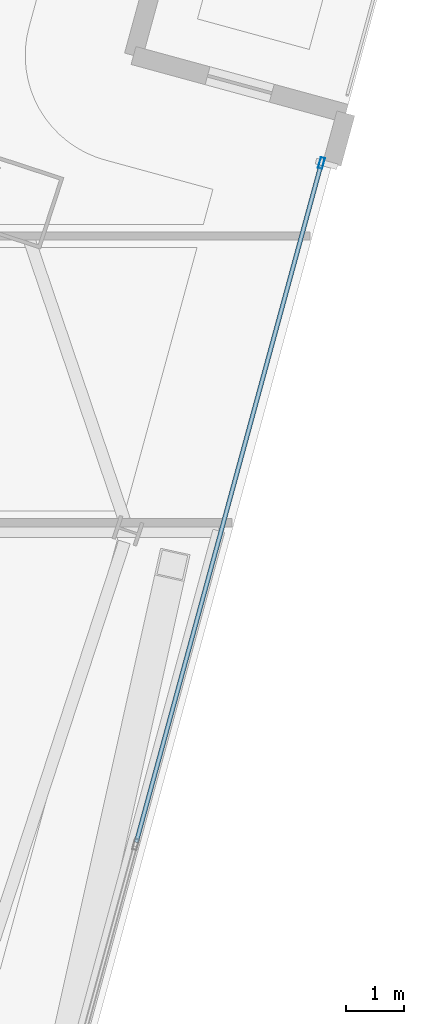
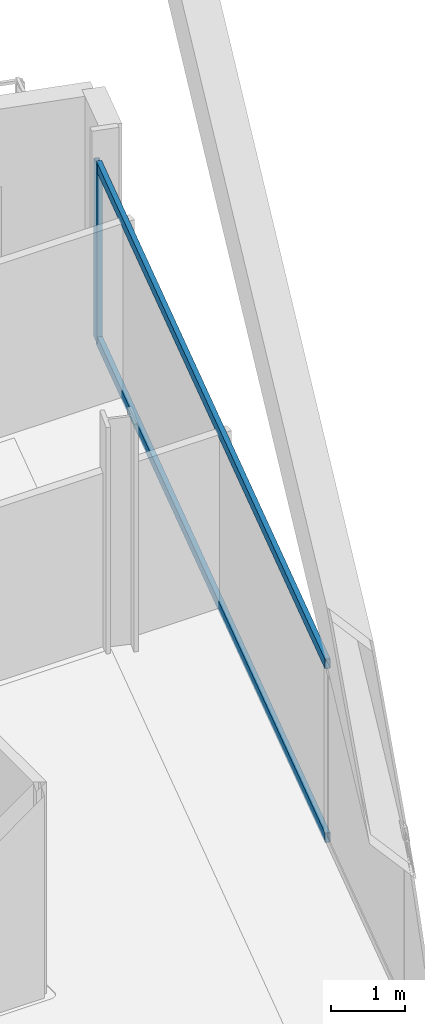
# One storey, part 17 of 26: 3 members, 1 element without a shape of its own.
"""IFC4 building model written with IfcOpenShell, lengths in metres."""

from ifc_helpers import new_model, si_unit, direction, frame, origin, origin_2d, place, context, subcontext, project, spatial, hollow_rectangle, extrude, material, material_profile, profile_set, type_object, element, aggregate, save


model = new_model("IFC4")

# Units and contexts
model_context = context("Model", 3, precision=1e-05, world=origin(), true_north=direction((0.0, 1.0)))
body_context = subcontext(model_context, "Body", "Model", "MODEL_VIEW")
ifc_project = project(units=[si_unit("LENGTHUNIT", "METRE"), si_unit("AREAUNIT", "SQUARE_METRE"), si_unit("VOLUMEUNIT", "CUBIC_METRE"), si_unit("PLANEANGLEUNIT", "RADIAN"), si_unit("MASSUNIT", "GRAM", prefix="KILO")], contexts=[model_context])

# Site, building, storey
site_placement = place(None, origin())
site = spatial("IfcSite", under=ifc_project, at=site_placement, CompositionType="ELEMENT")
building_placement = place(site_placement, origin())
building = spatial("IfcBuilding", under=site, at=building_placement, Name="Haldenkirk Collegiate Tower", CompositionType="ELEMENT")
storey_placement = place(building_placement, frame((0.0, 0.0, 278.699951171875)))
storey = spatial("IfcBuildingStorey", under=building, at=storey_placement, Name="L70", CompositionType="ELEMENT", Elevation=278.699951171875)

# Curtain wall, members
ifc_material = material(Name="Anodised architectural bronze aluminium", Category="aluminium")
curtain_wall_type = type_object("IfcCurtainWallType", Name="CW-SYS2-CONCAVE", PredefinedType="USERDEFINED", material=ifc_material)
curtain_wall_placement = place(storey_placement, origin())
curtain_wall = element("IfcCurtainWall", 1, at=curtain_wall_placement, inside=storey, type_object=curtain_wall_type, Name="L70 South concave recessed bronze-anodised curtain wall", ObjectType="UNITISED CURTAIN WALL", PredefinedType="USERDEFINED")
ifc_material_profile_1 = material_profile(ifc_material, hollow_rectangle(XDim=0.074951171875, YDim=0.18994140625, WallThickness=0.0048828125, at=origin_2d()), Name="CW-MUL-02")
ifc_profile_set_1 = profile_set([ifc_material_profile_1], Name="Anodised architectural bronze aluminium")
member_type_1 = type_object("IfcMemberType", Name="CW-MUL-02", PredefinedType="MULLION", material=ifc_profile_set_1)
member_1_placement = place(storey_placement, frame((62.664306640625, 37.71142578125, 0.0), z_axis=(0.0, 0.0, 1.0), x_axis=(0.964786957297, -0.263032558878, 0.0)))
member_1 = element("IfcMember", 2, at=member_1_placement, type_object=member_type_1, Name="CW-02 mullion 1", PredefinedType="MULLION", context=body_context, shape_type="SweptSolid", body=[
    extrude(hollow_rectangle(XDim=0.074951171875, YDim=0.18994140625, WallThickness=0.0048828125, at=origin_2d()), origin(), (0.0, 0.0, 1.0), 2.93798828125),
])
ifc_material_profile_2 = material_profile(ifc_material, hollow_rectangle(XDim=0.074951171875, YDim=0.159912109375, WallThickness=0.0048828125, at=origin_2d()), Name="CW-TRN-02")
ifc_profile_set_2 = profile_set([ifc_material_profile_2], Name="Anodised architectural bronze aluminium")
member_type_2 = type_object("IfcMemberType", Name="CW-TRN-02", PredefinedType="USERDEFINED", material=ifc_profile_set_2)
member_2_placement = place(storey_placement, frame((62.654541015625, 37.675048828125, 0.03759765625), z_axis=(-0.263040708576, -0.964784735385, 0.0), x_axis=(0.964784735385, -0.263040708576, 0.0)))
member_2 = element("IfcMember", 3, at=member_2_placement, type_object=member_type_2, Name="CW-02 transom 1.1", ObjectType="TRANSOM", PredefinedType="USERDEFINED", context=body_context, shape_type="SweptSolid", body=[
    extrude(hollow_rectangle(XDim=0.074951171875, YDim=0.159912109375, WallThickness=0.0048828125, at=origin_2d()), origin(), (0.0, 0.0, 1.0), 12.12060546875),
])
member_3_placement = place(storey_placement, frame((62.654541015625, 37.675048828125, 2.900634765625), z_axis=(-0.263040708576, -0.964784735385, 0.0), x_axis=(0.964784735385, -0.263040708576, 0.0)))
member_3 = element("IfcMember", 4, at=member_3_placement, type_object=member_type_2, Name="CW-02 transom 1.2", ObjectType="TRANSOM", PredefinedType="USERDEFINED", context=body_context, shape_type="SweptSolid", body=[
    extrude(hollow_rectangle(XDim=0.074951171875, YDim=0.159912109375, WallThickness=0.0048828125, at=origin_2d()), origin(), (0.0, 0.0, 1.0), 12.12060546875),
])
aggregate(curtain_wall, [member_1, member_2, member_3])

save(model, "model.ifc")
